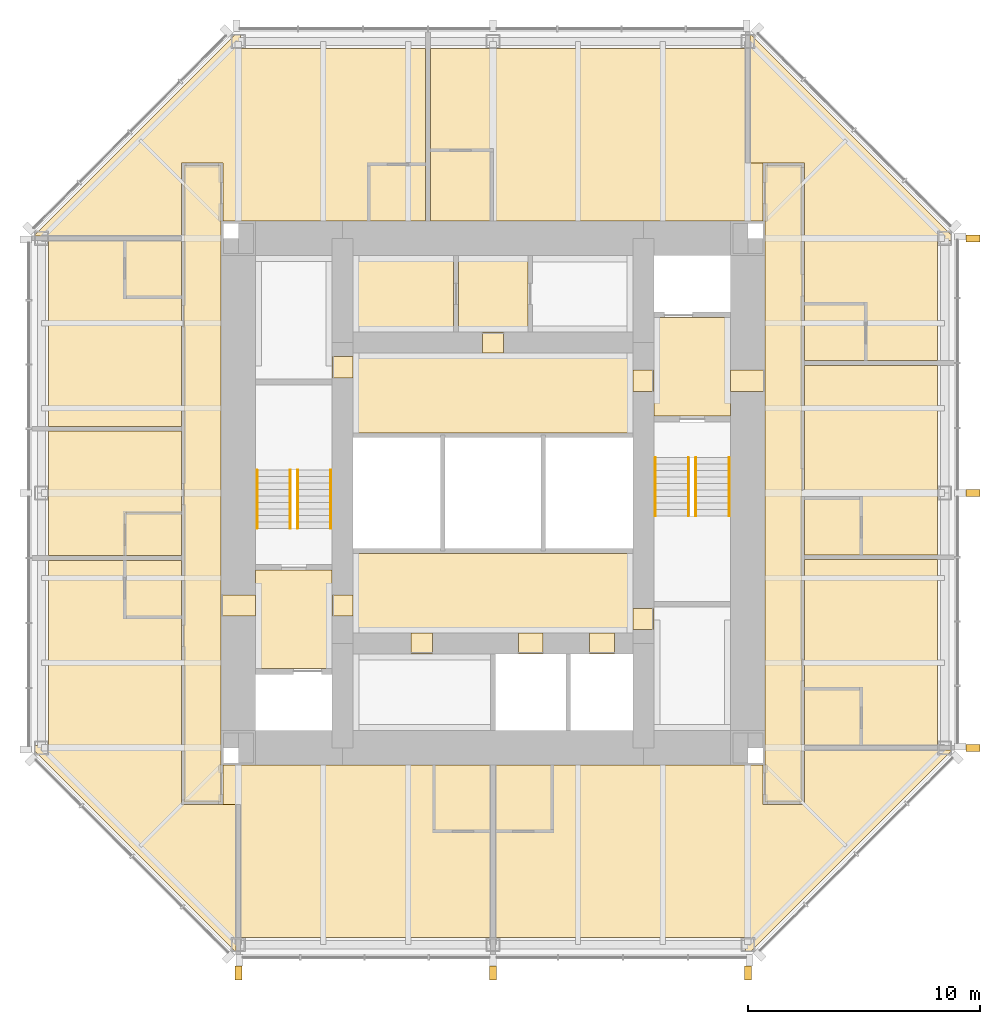
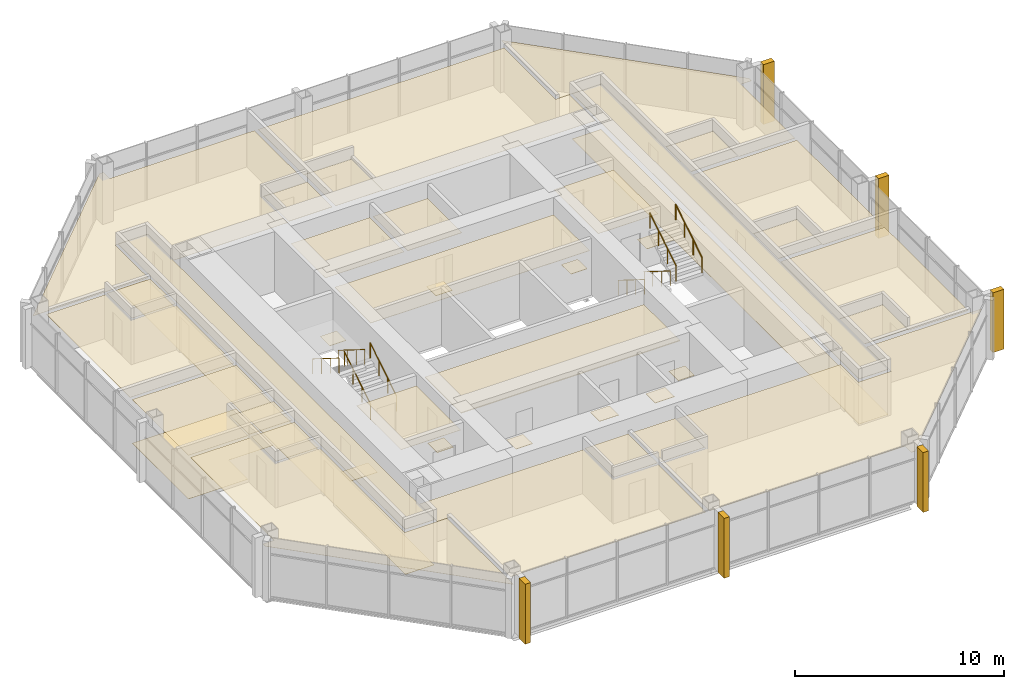
# One storey, part 11 of 11: 47 coverings, 8 railings.
"""IFC4 building model written with IfcOpenShell, lengths in metres."""

import ifcopenshell
import ifcopenshell.guid

model = None  # the IFC model being written
_history = None  # IfcOwnerHistory: only IFC2X3 demands one
_inside = {}  # id of a spatial element -> (the spatial element, [elements in it])
_under = {}  # id of a project, library or spatial element -> (it, [spatial elements below it])
_declared = {}  # id of a project -> (the project, [libraries it declares])
_typed = {}  # id of a type object -> (the type object, [elements of that type])
_made_of = {}  # id of a material, layer set ... -> (it, [elements and type objects made of it])


def new_model(schema):
    """Start an empty IFC model of exactly this schema.

    Asked for "IFC4X3", IfcOpenShell would pick the latest addendum, in which some entities
    have other attributes; the version numbers below select the first issue.
    IFC2X3 requires an IfcOwnerHistory on every rooted entity: one is made here for all.
    """
    global model, _history
    if schema == "IFC4X3":
        model = ifcopenshell.file(schema_version=(4, 3, 0, 0))
    else:
        model = ifcopenshell.file(schema=schema)
    _inside.clear()
    _under.clear()
    _declared.clear()
    _typed.clear()
    _made_of.clear()
    _history = None
    if model.schema == "IFC2X3":
        org = make("IfcOrganization", Name="unknown")
        user = make(
            "IfcPersonAndOrganization",
            ThePerson=make("IfcPerson", FamilyName="unknown"),
            TheOrganization=org,
        )
        app = make(
            "IfcApplication",
            ApplicationDeveloper=org,
            Version="unknown",
            ApplicationFullName="unknown",
            ApplicationIdentifier="unknown",
        )
        _history = make(
            "IfcOwnerHistory",
            OwningUser=user,
            OwningApplication=app,
            ChangeAction="ADDED",
            CreationDate=0,
        )
    return model


def make(cls, **values):
    """One entity of the class cls with the attributes given. An attribute that is None is left unset."""
    return model.create_entity(
        cls, **{name: value for name, value in values.items() if value is not None}
    )


def rooted(cls, **values):
    """An entity with a GlobalId (a new one), such as an element, a storey or a relation."""
    return make(cls, GlobalId=ifcopenshell.guid.new(), OwnerHistory=_history, **values)


def si_unit(unit_type, name, prefix=None):
    """IfcSIUnit, for example si_unit("LENGTHUNIT", "METRE", prefix="MILLI")."""
    return make("IfcSIUnit", UnitType=unit_type, Prefix=prefix, Name=name)


def assignment(units):
    """IfcUnitAssignment: the units of a project."""
    return None if units is None else make("IfcUnitAssignment", Units=units)


def point(xyz):
    """IfcCartesianPoint."""
    return None if xyz is None else make("IfcCartesianPoint", Coordinates=xyz)


def direction(xyz):
    """IfcDirection."""
    return None if xyz is None else make("IfcDirection", DirectionRatios=xyz)


def frame(location, z_axis=None, x_axis=None):
    """IfcAxis2Placement3D, a coordinate frame: its origin and axes. An axis left out is left unset."""
    return make(
        "IfcAxis2Placement3D",
        Location=point(location),
        Axis=direction(z_axis),
        RefDirection=direction(x_axis),
    )


def frame_2d(location, x_axis=None):
    """IfcAxis2Placement2D, a coordinate frame in the plane: its origin and x axis."""
    return make(
        "IfcAxis2Placement2D", Location=point(location), RefDirection=direction(x_axis)
    )


def origin():
    """The frame at (0, 0, 0) with its axes left unset."""
    return frame((0.0, 0.0, 0.0))


def origin_2d():
    """The frame at (0, 0) in the plane with its x axis left unset."""
    return frame_2d((0.0, 0.0))


def place(relative_to, where):
    """IfcLocalPlacement: puts the frame where relative to a parent placement (None: the world)."""
    return make(
        "IfcLocalPlacement", PlacementRelTo=relative_to, RelativePlacement=where
    )


def context(
    kind, dimensions, precision=None, world=None, true_north=None, identifier=None
):
    """IfcGeometricRepresentationContext, for example the 3D "Model" context."""
    return make(
        "IfcGeometricRepresentationContext",
        ContextIdentifier=identifier,
        ContextType=kind,
        CoordinateSpaceDimension=dimensions,
        Precision=precision,
        WorldCoordinateSystem=world,
        TrueNorth=true_north,
    )


def subcontext(parent, identifier, kind, view, scale=None):
    """IfcGeometricRepresentationSubContext, for example "Body" below "Model"."""
    return make(
        "IfcGeometricRepresentationSubContext",
        ContextIdentifier=identifier,
        ContextType=kind,
        ParentContext=parent,
        TargetScale=scale,
        TargetView=view,
    )


def project(units=None, contexts=None):
    """IfcProject with its units and contexts."""
    return rooted(
        "IfcProject",
        Name="project",
        RepresentationContexts=contexts,
        UnitsInContext=assignment(units),
    )


def spatial(cls, under=None, at=None, **own):
    """A site, building, storey or space (cls), placed at a placement, below another one or the project."""
    s = rooted(cls, ObjectPlacement=at, **own)
    if under is not None:
        _under.setdefault(under.id(), (under, []))[1].append(s)
    return s


def polyline(points):
    """IfcPolyline through the points."""
    return make("IfcPolyline", Points=[point(p) for p in points])


def profile(cls, at=None, kind="AREA", **sizes):
    """A parametric profile (cls). Its sizes go by their IFC names, for example OverallWidth=200.0."""
    return make(cls, ProfileType=kind, Position=at, **sizes)


def rectangle(**sizes):
    """IfcRectangleProfileDef."""
    return profile("IfcRectangleProfileDef", **sizes)


def circle(**sizes):
    """IfcCircleProfileDef."""
    return profile("IfcCircleProfileDef", **sizes)


def outline(outer, holes=None, kind="AREA"):
    """IfcArbitraryClosedProfileDef: a profile drawn as a closed curve; with holes, ...WithVoids."""
    if holes is None:
        return make("IfcArbitraryClosedProfileDef", ProfileType=kind, OuterCurve=outer)
    return make(
        "IfcArbitraryProfileDefWithVoids",
        ProfileType=kind,
        OuterCurve=outer,
        InnerCurves=holes,
    )


def extrude(swept, where, along, depth):
    """IfcExtrudedAreaSolid: the profile swept, set in the frame where, extruded along a direction by depth."""
    return make(
        "IfcExtrudedAreaSolid",
        SweptArea=swept,
        Position=where,
        ExtrudedDirection=direction(along),
        Depth=depth,
    )


def shape(context_of_items, identifier, shape_type, items):
    """IfcShapeRepresentation: the items that make up one representation, for example the "Body"."""
    return make(
        "IfcShapeRepresentation",
        ContextOfItems=context_of_items,
        RepresentationIdentifier=identifier,
        RepresentationType=shape_type,
        Items=items,
    )


def material(Name=None, Category=None):
    """IfcMaterial."""
    return make("IfcMaterial", Name=Name, Category=Category)


def layer(
    of_material, thickness, ventilated=None, Name=None, Category=None, Priority=None
):
    """IfcMaterialLayer: one layer of a wall or slab, of a material (None: an air gap)."""
    return make(
        "IfcMaterialLayer",
        Material=of_material,
        LayerThickness=thickness,
        IsVentilated=ventilated,
        Name=Name,
        Category=Category,
        Priority=Priority,
    )


def layer_set(layers, Name=None):
    """IfcMaterialLayerSet."""
    return make("IfcMaterialLayerSet", MaterialLayers=layers, LayerSetName=Name)


def made_of(thing, what):
    """Note that an element or type object is made of a material, layer set ...; save() writes the relation."""
    if what is not None:
        _made_of.setdefault(what.id(), (what, []))[1].append(thing)
    return thing


def type_object(cls, material=None, **own):
    """A type object (cls), such as IfcWallType, which elements share."""
    return made_of(rooted(cls, **own), material)


def element(
    cls,
    number,
    at=None,
    inside=None,
    cuts=None,
    type_object=None,
    material=None,
    context=None,
    identifier="Body",
    shape_type=None,
    held_by="IfcProductDefinitionShape",
    body=None,
    shapes=None,
    **own,
):
    """One element of the class cls, such as IfcWall. Its Tag is "e" and its number.

    at: its placement. inside: the storey or other place that contains it. cuts: it is an
    opening in that element (IfcRelVoidsElement). A single representation is given by context,
    identifier, shape_type and body (its items); several are given by shapes. held_by: the class
    of the entity that holds the representations. save() writes the other relations.
    """
    e = rooted(cls, Tag="e%d" % number, ObjectPlacement=at, **own)
    if body is not None:
        shapes = [shape(context, identifier, shape_type, body)]
    if shapes is not None:
        e.Representation = make(held_by, Representations=shapes)
    if inside is not None:
        _inside.setdefault(inside.id(), (inside, []))[1].append(e)
    if cuts is not None:
        rooted(
            "IfcRelVoidsElement", RelatingBuildingElement=cuts, RelatedOpeningElement=e
        )
    if type_object is not None:
        _typed.setdefault(type_object.id(), (type_object, []))[1].append(e)
    return made_of(e, material)


def aggregate(whole, parts):
    """IfcRelAggregates: a whole, such as a stair, and the parts it consists of."""
    return rooted("IfcRelAggregates", RelatingObject=whole, RelatedObjects=parts)


def save(model, path):
    """Write the relations noted so far, then the file.

    IfcRelAggregates (storeys below a building ...), IfcRelContainedInSpatialStructure (elements
    in a storey), IfcRelDefinesByType, IfcRelAssociatesMaterial and IfcRelDeclares: one each for
    every whole, place, type object, material and project.
    """
    for whole, parts in _under.values():
        aggregate(whole, parts)
    for where, things in _inside.values():
        rooted(
            "IfcRelContainedInSpatialStructure",
            RelatedElements=things,
            RelatingStructure=where,
        )
    for kind, things in _typed.values():
        rooted("IfcRelDefinesByType", RelatedObjects=things, RelatingType=kind)
    for what, things in _made_of.values():
        rooted("IfcRelAssociatesMaterial", RelatedObjects=things, RelatingMaterial=what)
    for by, libraries in _declared.values():
        rooted("IfcRelDeclares", RelatingContext=by, RelatedDefinitions=libraries)
    model.write(path)


model = new_model("IFC4")

# Units and contexts
model_context = context("Model", 3, precision=1e-05, world=origin(), true_north=direction((0.0, 1.0)))
body_context = subcontext(model_context, "Body", "Model", "MODEL_VIEW")
ifc_project = project(units=[si_unit("LENGTHUNIT", "METRE"), si_unit("AREAUNIT", "SQUARE_METRE"), si_unit("VOLUMEUNIT", "CUBIC_METRE"), si_unit("PLANEANGLEUNIT", "RADIAN"), si_unit("MASSUNIT", "GRAM", prefix="KILO")], contexts=[model_context])

# Site, building, storey
site_placement = place(None, origin())
site = spatial("IfcSite", under=ifc_project, at=site_placement, CompositionType="ELEMENT")
building_placement = place(site_placement, origin())
building = spatial("IfcBuilding", under=site, at=building_placement, Name="Trevanion Tower", CompositionType="ELEMENT")
storey_placement = place(building_placement, frame((0.0, 0.0, 239.699951171875)))
storey = spatial("IfcBuildingStorey", under=building, at=storey_placement, Name="L58", CompositionType="ELEMENT", Elevation=239.699951171875)

# Coverings
ifc_material_1 = material(Name="Fibrous plaster coffers on suspended steel grid", Category="steel")
ifc_layer_1 = layer(ifc_material_1, 0.050048828125)
ifc_layer_set_1 = layer_set([ifc_layer_1], Name="CL1 coffered fibrous plaster ceiling 50")
covering_type_1 = type_object("IfcCoveringType", Name="CL1 coffered fibrous plaster ceiling 50", PredefinedType="CEILING", material=ifc_layer_set_1)
covering_1_placement = place(storey_placement, frame((0.0, 0.0, 2.429931640625)))
element("IfcCovering", 1, at=covering_1_placement, inside=storey, type_object=covering_type_1, Name="CL1 L58-LBS", PredefinedType="CEILING", context=body_context, shape_type="SweptSolid", body=[
    extrude(outline(polyline([(6.050048828125, -6.050048828125), (6.050048828125, -2.60009765625), (-6.050048828125, -2.60009765625), (-6.050048828125, -6.050048828125), (6.050048828125, -6.050048828125)])), origin(), (0.0, 0.0, 1.0), 0.050048828125),
])
ifc_material_2 = material(Name="Mineral fibre acoustic tiles in exposed grid", Category="mineral fibre")
ifc_layer_2 = layer(ifc_material_2, 0.02001953125)
ifc_layer_set_2 = layer_set([ifc_layer_2], Name="CL2 acoustic tile ceiling 20")
covering_type_2 = type_object("IfcCoveringType", Name="CL2 acoustic tile ceiling 20", PredefinedType="CEILING", material=ifc_layer_set_2)
covering_2_placement = place(storey_placement, frame((0.0, 0.0, 2.4599609375)))
element("IfcCovering", 2, at=covering_2_placement, inside=storey, type_object=covering_type_2, Name="CL2 L58-LBN", PredefinedType="CEILING", context=body_context, shape_type="SweptSolid", body=[
    extrude(outline(polyline([(6.050048828125, 2.60009765625), (6.050048828125, 6.050048828125), (-6.050048828125, 6.050048828125), (-6.050048828125, 2.60009765625), (6.050048828125, 2.60009765625)])), origin(), (0.0, 0.0, 1.0), 0.02001953125),
])
covering_3_placement = place(storey_placement, frame((0.0, 0.0, 2.4599609375)))
element("IfcCovering", 3, at=covering_3_placement, inside=storey, type_object=covering_type_2, Name="CL2 L58-HKC", PredefinedType="CEILING", context=body_context, shape_type="SweptSolid", body=[
    extrude(outline(polyline([(1.5, 6.949951171875), (1.5, 10.25), (-1.5, 10.25), (-1.5, 6.949951171875), (1.5, 6.949951171875)])), origin(), (0.0, 0.0, 1.0), 0.02001953125),
])
covering_4_placement = place(storey_placement, frame((0.0, 0.0, 2.633056640625)))
element("IfcCovering", 4, at=covering_4_placement, inside=storey, type_object=covering_type_2, Name="CL2 L58-CO1", PredefinedType="CEILING", context=body_context, shape_type="SweptSolid", body=[
    extrude(outline(polyline([(-11.75, 14.14990234375), (-11.75, -13.35009765625), (-13.35009765625, -13.35009765625), (-13.35009765625, 14.14990234375), (-11.75, 14.14990234375)])), origin(), (0.0, 0.0, 1.0), 0.02001953125),
])
covering_5_placement = place(storey_placement, frame((0.0, 0.0, 2.633056640625)))
element("IfcCovering", 5, at=covering_5_placement, inside=storey, type_object=covering_type_2, Name="CL2 L58-CO2", PredefinedType="CEILING", context=body_context, shape_type="SweptSolid", body=[
    extrude(outline(polyline([(11.75, -13.35009765625), (11.75, 14.14990234375), (13.35009765625, 14.14990234375), (13.35009765625, -13.35009765625), (11.75, -13.35009765625)])), origin(), (0.0, 0.0, 1.0), 0.02001953125),
])
ifc_material_3 = material(Name="Gypsum plasterboard on suspended metal furring", Category="gypsum")
ifc_layer_3 = layer(ifc_material_3, 0.012939453125)
ifc_layer_set_3 = layer_set([ifc_layer_3], Name="CL3 plasterboard ceiling 13")
covering_type_3 = type_object("IfcCoveringType", Name="CL3 plasterboard ceiling 13", PredefinedType="CEILING", material=ifc_layer_set_3)
covering_6_placement = place(storey_placement, frame((0.0, 0.0, 2.699951171875)))
element("IfcCovering", 6, at=covering_6_placement, inside=storey, type_object=covering_type_3, Name="CL3 L58-FV1", PredefinedType="CEILING", context=body_context, shape_type="SweptSolid", body=[
    extrude(outline(polyline([(10.25, 3.324951171875), (10.25, 7.574951171875), (6.949951171875, 7.574951171875), (6.949951171875, 3.324951171875), (10.25, 3.324951171875)])), origin(), (0.0, 0.0, 1.0), 0.01318359375),
])
covering_7_placement = place(storey_placement, frame((0.0, 0.0, 2.699951171875)))
element("IfcCovering", 7, at=covering_7_placement, inside=storey, type_object=covering_type_3, Name="CL3 L58-FV2", PredefinedType="CEILING", context=body_context, shape_type="SweptSolid", body=[
    extrude(outline(polyline([(-10.25, -3.324951171875), (-10.25, -7.574951171875), (-6.949951171875, -7.574951171875), (-6.949951171875, -3.324951171875), (-10.25, -3.324951171875)])), origin(), (0.0, 0.0, 1.0), 0.01318359375),
])
covering_8_placement = place(storey_placement, frame((0.0, 0.0, 2.551025390625)))
element("IfcCovering", 8, at=covering_8_placement, inside=storey, type_object=covering_type_3, Name="CL3 L58-GJ", PredefinedType="CEILING", context=body_context, shape_type="SweptSolid", body=[
    extrude(outline(polyline([(13.449951171875, -2.875), (19.199951171875, -2.875), (19.199951171875, -10.89990234375), (15.89990234375, -10.89990234375), (15.89990234375, -8.449951171875), (13.449951171875, -8.449951171875), (13.449951171875, -2.875)])), origin(), (0.0, 0.0, 1.0), 0.012939453125),
])
covering_9_placement = place(storey_placement, frame((0.0, 0.0, 2.551025390625)))
element("IfcCovering", 9, at=covering_9_placement, inside=storey, type_object=covering_type_3, Name="CL3 L58-GJ2", PredefinedType="CEILING", context=body_context, shape_type="SweptSolid", body=[
    extrude(outline(polyline([(13.449951171875, 5.513916015625), (19.199951171875, 5.513916015625), (19.199951171875, -2.675048828125), (15.89990234375, -2.675048828125), (15.89990234375, -0.22509765625), (13.449951171875, -0.22509765625), (13.449951171875, 5.513916015625)])), origin(), (0.0, 0.0, 1.0), 0.012939453125),
])
covering_10_placement = place(storey_placement, frame((0.0, 0.0, 2.551025390625)))
element("IfcCovering", 10, at=covering_10_placement, inside=storey, type_object=covering_type_3, Name="CL3 L58-GA", PredefinedType="CEILING", context=body_context, shape_type="SweptSolid", body=[
    extrude(outline(polyline([(11.10009765625, 14.25), (11.10009765625, 19.800048828125), (11.124267578125, 19.800048828125), (19.800048828125, 11.124267578125), (19.800048828125, 10.89990234375), (19.199951171875, 10.89990234375), (19.199951171875, 5.714111328125), (16.10009765625, 5.714111328125), (16.10009765625, 8.1640625), (13.449951171875, 8.1640625), (13.449951171875, 14.25), (11.10009765625, 14.25)])), origin(), (0.0, 0.0, 1.0), 0.012939453125),
])
covering_11_placement = place(storey_placement, frame((0.0, 0.0, 2.551025390625)))
element("IfcCovering", 11, at=covering_11_placement, inside=storey, type_object=covering_type_3, Name="CL3 L58-GY", PredefinedType="CEILING", context=body_context, shape_type="SweptSolid", body=[
    extrude(outline(polyline([(-2.70703125, 19.199951171875), (10.89990234375, 19.199951171875), (10.89990234375, 14.25), (11.64990234375, 14.25), (11.64990234375, 11.75), (-0.056884765625, 11.75), (-0.056884765625, 14.800048828125), (-2.70703125, 14.800048828125), (-2.70703125, 19.199951171875)])), origin(), (0.0, 0.0, 1.0), 0.012939453125),
])
covering_12_placement = place(storey_placement, frame((0.0, 0.0, 2.551025390625)))
element("IfcCovering", 12, at=covering_12_placement, inside=storey, type_object=covering_type_3, Name="CL3 L58-GJ3", PredefinedType="CEILING", context=body_context, shape_type="SweptSolid", body=[
    extrude(outline(polyline([(-13.449951171875, 11.10009765625), (-19.800048828125, 11.10009765625), (-19.800048828125, 11.124267578125), (-11.124267578125, 19.800048828125), (-10.89990234375, 19.800048828125), (-10.89990234375, 19.199951171875), (-2.906982421875, 19.199951171875), (-2.906982421875, 14.199951171875), (-5.35693359375, 14.199951171875), (-5.35693359375, 11.75), (-11.64990234375, 11.75), (-11.64990234375, 14.25), (-13.449951171875, 14.25), (-13.449951171875, 11.10009765625)])), origin(), (0.0, 0.0, 1.0), 0.012939453125),
])
covering_13_placement = place(storey_placement, frame((0.0, 0.0, 2.551025390625)))
element("IfcCovering", 13, at=covering_13_placement, inside=storey, type_object=covering_type_3, Name="CL3 L58-GJ4", PredefinedType="CEILING", context=body_context, shape_type="SweptSolid", body=[
    extrude(outline(polyline([(-13.449951171875, 2.875), (-19.199951171875, 2.875), (-19.199951171875, 10.89990234375), (-15.89990234375, 10.89990234375), (-15.89990234375, 8.449951171875), (-13.449951171875, 8.449951171875), (-13.449951171875, 2.875)])), origin(), (0.0, 0.0, 1.0), 0.012939453125),
])
covering_14_placement = place(storey_placement, frame((0.0, 0.0, 2.551025390625)))
element("IfcCovering", 14, at=covering_14_placement, inside=storey, type_object=covering_type_3, Name="CL3 L58-GR", PredefinedType="CEILING", context=body_context, shape_type="SweptSolid", body=[
    extrude(outline(polyline([(-13.449951171875, -0.85693359375), (-15.89990234375, -0.85693359375), (-15.89990234375, -2.70703125), (-19.199951171875, -2.70703125), (-19.199951171875, 2.675048828125), (-13.449951171875, 2.675048828125), (-13.449951171875, -0.85693359375)])), origin(), (0.0, 0.0, 1.0), 0.012939453125),
])
covering_15_placement = place(storey_placement, frame((0.0, 0.0, 2.551025390625)))
element("IfcCovering", 15, at=covering_15_placement, inside=storey, type_object=covering_type_3, Name="CL3 L58-GJ5", PredefinedType="CEILING", context=body_context, shape_type="SweptSolid", body=[
    extrude(outline(polyline([(-11.10009765625, -13.449951171875), (-11.10009765625, -19.800048828125), (-11.124267578125, -19.800048828125), (-19.800048828125, -11.124267578125), (-19.800048828125, -10.89990234375), (-19.199951171875, -10.89990234375), (-19.199951171875, -2.906982421875), (-15.89990234375, -2.906982421875), (-15.89990234375, -5.35693359375), (-13.449951171875, -5.35693359375), (-13.449951171875, -13.449951171875), (-11.10009765625, -13.449951171875)])), origin(), (0.0, 0.0, 1.0), 0.012939453125),
])
covering_16_placement = place(storey_placement, frame((0.0, 0.0, 2.551025390625)))
element("IfcCovering", 16, at=covering_16_placement, inside=storey, type_object=covering_type_3, Name="CL3 L58-GB", PredefinedType="CEILING", context=body_context, shape_type="SweptSolid", body=[
    extrude(outline(polyline([(-0.10009765625, -19.199951171875), (-10.89990234375, -19.199951171875), (-10.89990234375, -13.449951171875), (-11.64990234375, -13.449951171875), (-11.64990234375, -11.75), (-2.550048828125, -11.75), (-2.550048828125, -14.60009765625), (-0.10009765625, -14.60009765625), (-0.10009765625, -19.199951171875)])), origin(), (0.0, 0.0, 1.0), 0.012939453125),
])
covering_17_placement = place(storey_placement, frame((0.0, 0.0, 2.551025390625)))
element("IfcCovering", 17, at=covering_17_placement, inside=storey, type_object=covering_type_3, Name="CL3 L58-GB2", PredefinedType="CEILING", context=body_context, shape_type="SweptSolid", body=[
    extrude(outline(polyline([(13.449951171875, -11.10009765625), (19.800048828125, -11.10009765625), (19.800048828125, -11.124267578125), (11.124267578125, -19.800048828125), (10.89990234375, -19.800048828125), (10.89990234375, -19.199951171875), (0.10009765625, -19.199951171875), (0.10009765625, -14.60009765625), (2.550048828125, -14.60009765625), (2.550048828125, -11.75), (11.64990234375, -11.75), (11.64990234375, -13.449951171875), (13.449951171875, -13.449951171875), (13.449951171875, -11.10009765625)])), origin(), (0.0, 0.0, 1.0), 0.012939453125),
])
ifc_material_4 = material(Name="Moisture-resistant gypsum board on suspended metal furring", Category="gypsum")
ifc_layer_4 = layer(ifc_material_4, 0.01611328125)
ifc_layer_set_4 = layer_set([ifc_layer_4], Name="CL4 moisture-resistant board ceiling 16")
covering_type_4 = type_object("IfcCoveringType", Name="CL4 moisture-resistant board ceiling 16", PredefinedType="CEILING", material=ifc_layer_set_4)
covering_18_placement = place(storey_placement, frame((0.0, 0.0, 2.464111328125)))
element("IfcCovering", 18, at=covering_18_placement, inside=storey, type_object=covering_type_4, Name="CL4 L58-HK", PredefinedType="CEILING", context=body_context, shape_type="SweptSolid", body=[
    extrude(outline(polyline([(-1.699951171875, 6.949951171875), (-1.699951171875, 10.25), (-6.050048828125, 10.25), (-6.050048828125, 6.949951171875), (-1.699951171875, 6.949951171875)])), origin(), (0.0, 0.0, 1.0), 0.015869140625),
])
covering_19_placement = place(storey_placement, frame((0.0, 0.0, 2.60009765625)))
element("IfcCovering", 19, at=covering_19_placement, inside=storey, type_object=covering_type_4, Name="CL4 L58-EN", PredefinedType="CEILING", context=body_context, shape_type="SweptSolid", body=[
    extrude(outline(polyline([(15.85009765625, -10.89990234375), (15.85009765625, -8.5), (13.449951171875, -8.5), (13.449951171875, -10.89990234375), (15.85009765625, -10.89990234375)])), origin(), (0.0, 0.0, 1.0), 0.015869140625),
])
covering_20_placement = place(storey_placement, frame((0.0, 0.0, 2.60009765625)))
element("IfcCovering", 20, at=covering_20_placement, inside=storey, type_object=covering_type_4, Name="CL4 L58-EN2", PredefinedType="CEILING", context=body_context, shape_type="SweptSolid", body=[
    extrude(outline(polyline([(15.85009765625, -2.675048828125), (15.85009765625, -0.27490234375), (13.449951171875, -0.27490234375), (13.449951171875, -2.675048828125), (15.85009765625, -2.675048828125)])), origin(), (0.0, 0.0, 1.0), 0.015869140625),
])
covering_21_placement = place(storey_placement, frame((0.0, 0.0, 2.60009765625)))
element("IfcCovering", 21, at=covering_21_placement, inside=storey, type_object=covering_type_4, Name="CL4 L58-EN3", PredefinedType="CEILING", context=body_context, shape_type="SweptSolid", body=[
    extrude(outline(polyline([(16.050048828125, 5.714111328125), (16.050048828125, 8.114013671875), (13.449951171875, 8.114013671875), (13.449951171875, 5.714111328125), (16.050048828125, 5.714111328125)])), origin(), (0.0, 0.0, 1.0), 0.015869140625),
])
covering_22_placement = place(storey_placement, frame((0.0, 0.0, 2.60009765625)))
element("IfcCovering", 22, at=covering_22_placement, inside=storey, type_object=covering_type_4, Name="CL4 L58-EN4", PredefinedType="CEILING", context=body_context, shape_type="SweptSolid", body=[
    extrude(outline(polyline([(-0.10693359375, 14.75), (-2.70703125, 14.75), (-2.70703125, 11.75), (-0.10693359375, 11.75), (-0.10693359375, 14.75)])), origin(), (0.0, 0.0, 1.0), 0.015869140625),
])
covering_23_placement = place(storey_placement, frame((0.0, 0.0, 2.60009765625)))
element("IfcCovering", 23, at=covering_23_placement, inside=storey, type_object=covering_type_4, Name="CL4 L58-EN5", PredefinedType="CEILING", context=body_context, shape_type="SweptSolid", body=[
    extrude(outline(polyline([(-2.906982421875, 14.14990234375), (-5.306884765625, 14.14990234375), (-5.306884765625, 11.75), (-2.906982421875, 11.75), (-2.906982421875, 14.14990234375)])), origin(), (0.0, 0.0, 1.0), 0.015869140625),
])
covering_24_placement = place(storey_placement, frame((0.0, 0.0, 2.60009765625)))
element("IfcCovering", 24, at=covering_24_placement, inside=storey, type_object=covering_type_4, Name="CL4 L58-EN6", PredefinedType="CEILING", context=body_context, shape_type="SweptSolid", body=[
    extrude(outline(polyline([(-15.85009765625, 10.89990234375), (-15.85009765625, 8.5), (-13.449951171875, 8.5), (-13.449951171875, 10.89990234375), (-15.85009765625, 10.89990234375)])), origin(), (0.0, 0.0, 1.0), 0.015869140625),
])
covering_25_placement = place(storey_placement, frame((0.0, 0.0, 2.60009765625)))
element("IfcCovering", 25, at=covering_25_placement, inside=storey, type_object=covering_type_4, Name="CL4 L58-EN7", PredefinedType="CEILING", context=body_context, shape_type="SweptSolid", body=[
    extrude(outline(polyline([(-15.85009765625, -0.906982421875), (-15.85009765625, -2.70703125), (-13.449951171875, -2.70703125), (-13.449951171875, -0.906982421875), (-15.85009765625, -0.906982421875)])), origin(), (0.0, 0.0, 1.0), 0.015869140625),
])
covering_26_placement = place(storey_placement, frame((0.0, 0.0, 2.60009765625)))
element("IfcCovering", 26, at=covering_26_placement, inside=storey, type_object=covering_type_4, Name="CL4 L58-EN8", PredefinedType="CEILING", context=body_context, shape_type="SweptSolid", body=[
    extrude(outline(polyline([(-15.85009765625, -2.906982421875), (-15.85009765625, -5.306884765625), (-13.449951171875, -5.306884765625), (-13.449951171875, -2.906982421875), (-15.85009765625, -2.906982421875)])), origin(), (0.0, 0.0, 1.0), 0.015869140625),
])
covering_27_placement = place(storey_placement, frame((0.0, 0.0, 2.60009765625)))
element("IfcCovering", 27, at=covering_27_placement, inside=storey, type_object=covering_type_4, Name="CL4 L58-EN9", PredefinedType="CEILING", context=body_context, shape_type="SweptSolid", body=[
    extrude(outline(polyline([(-2.5, -14.550048828125), (-0.10009765625, -14.550048828125), (-0.10009765625, -11.75), (-2.5, -11.75), (-2.5, -14.550048828125)])), origin(), (0.0, 0.0, 1.0), 0.015869140625),
])
covering_28_placement = place(storey_placement, frame((0.0, 0.0, 2.60009765625)))
element("IfcCovering", 28, at=covering_28_placement, inside=storey, type_object=covering_type_4, Name="CL4 L58-EN10", PredefinedType="CEILING", context=body_context, shape_type="SweptSolid", body=[
    extrude(outline(polyline([(0.10009765625, -14.550048828125), (2.5, -14.550048828125), (2.5, -11.75), (0.10009765625, -11.75), (0.10009765625, -14.550048828125)])), origin(), (0.0, 0.0, 1.0), 0.015869140625),
])
ifc_material_5 = material(Name="Cast bronze fin on aluminium carrier", Category="aluminium")
covering_type_5 = type_object("IfcCoveringType", Name="F1 bronze fin", PredefinedType="CLADDING", material=ifc_material_5)
for number, where, z_axis, x_axis, name in (
    (29, (20.72509765625, -11.0, -0.18994140625), (0.0, 0.0, 1.0), (0.0, 1.0, 0.0), "F1 L58 east -11.0"),
    (30, (20.72509765625, 0.0, -0.18994140625), (0.0, 0.0, 1.0), (0.0, 1.0, 0.0), "F1 L58 east +0.0"),
    (31, (20.72509765625, 11.0, -0.18994140625), (0.0, 0.0, 1.0), (0.0, 1.0, 0.0), "F1 L58 east +11.0"),
    (32, (-11.0, -20.72509765625, -0.18994140625), (0.0, 0.0, 1.0), (1.0, 0.0, 0.0), "F1 L58 south -11.0"),
    (33, (0.0, -20.72509765625, -0.18994140625), (0.0, 0.0, 1.0), (1.0, 0.0, 0.0), "F1 L58 south +0.0"),
    (34, (11.0, -20.72509765625, -0.18994140625), (0.0, 0.0, 1.0), (1.0, 0.0, 0.0), "F1 L58 south +11.0"),
):
    element("IfcCovering", number, at=place(storey_placement, frame(where, z_axis=z_axis, x_axis=x_axis)), inside=storey, type_object=covering_type_5, Name=name, PredefinedType="CLADDING", context=body_context, shape_type="SweptSolid", body=[
        extrude(rectangle(XDim=0.300048828125, YDim=0.60009765625, at=origin_2d()), origin(), (0.0, 0.0, 1.0), 3.5),
    ])
ifc_material_6 = material(Name="Terrazzo, brass divider strips", Category="stone")
ifc_layer_5 = layer(ifc_material_6, 0.02001953125)
ifc_layer_set_5 = layer_set([ifc_layer_5], Name="FF1 terrazzo flooring")
covering_type_6 = type_object("IfcCoveringType", Name="FF1 terrazzo flooring", PredefinedType="FLOORING", material=ifc_layer_set_5)
covering_29_placement = place(storey_placement, origin())
element("IfcCovering", 35, at=covering_29_placement, inside=storey, type_object=covering_type_6, Name="FF1 threshold 58-001", PredefinedType="FLOORING", context=body_context, shape_type="SweptSolid", body=[
    extrude(outline(polyline([(11.75, 4.392578125), (11.75, 5.3076171875), (10.25, 5.3076171875), (10.25, 4.392578125), (11.75, 4.392578125)])), origin(), (0.0, 0.0, 1.0), 0.02001953125),
])
covering_30_placement = place(storey_placement, origin())
element("IfcCovering", 36, at=covering_30_placement, inside=storey, type_object=covering_type_6, Name="FF1 threshold 58-002", PredefinedType="FLOORING", context=body_context, shape_type="SweptSolid", body=[
    extrude(outline(polyline([(-11.75, -4.392578125), (-11.75, -5.3076171875), (-10.25, -5.3076171875), (-10.25, -4.392578125), (-11.75, -4.392578125)])), origin(), (0.0, 0.0, 1.0), 0.02001953125),
])
covering_31_placement = place(storey_placement, origin())
element("IfcCovering", 37, at=covering_31_placement, inside=storey, type_object=covering_type_6, Name="FF1 threshold 58-003", PredefinedType="FLOORING", context=body_context, shape_type="SweptSolid", body=[
    extrude(outline(polyline([(6.949951171875, 4.392578125), (6.949951171875, 5.3076171875), (6.050048828125, 5.3076171875), (6.050048828125, 4.392578125), (6.949951171875, 4.392578125)])), origin(), (0.0, 0.0, 1.0), 0.02001953125),
])
covering_32_placement = place(storey_placement, origin())
element("IfcCovering", 38, at=covering_32_placement, inside=storey, type_object=covering_type_6, Name="FF1 threshold 58-004", PredefinedType="FLOORING", context=body_context, shape_type="SweptSolid", body=[
    extrude(outline(polyline([(-6.949951171875, -4.392578125), (-6.949951171875, -5.3076171875), (-6.050048828125, -5.3076171875), (-6.050048828125, -4.392578125), (-6.949951171875, -4.392578125)])), origin(), (0.0, 0.0, 1.0), 0.02001953125),
])
covering_33_placement = place(storey_placement, origin())
element("IfcCovering", 39, at=covering_33_placement, inside=storey, type_object=covering_type_6, Name="FF1 threshold 58-009", PredefinedType="FLOORING", context=body_context, shape_type="SweptSolid", body=[
    extrude(outline(polyline([(6.949951171875, -5.889892578125), (6.949951171875, -4.97509765625), (6.050048828125, -4.97509765625), (6.050048828125, -5.889892578125), (6.949951171875, -5.889892578125)])), origin(), (0.0, 0.0, 1.0), 0.02001953125),
])
covering_34_placement = place(storey_placement, origin())
element("IfcCovering", 40, at=covering_34_placement, inside=storey, type_object=covering_type_6, Name="FF1 threshold 58-010", PredefinedType="FLOORING", context=body_context, shape_type="SweptSolid", body=[
    extrude(outline(polyline([(-6.949951171875, 5.889892578125), (-6.949951171875, 4.97509765625), (-6.050048828125, 4.97509765625), (-6.050048828125, 5.889892578125), (-6.949951171875, 5.889892578125)])), origin(), (0.0, 0.0, 1.0), 0.02001953125),
])
covering_35_placement = place(storey_placement, origin())
element("IfcCovering", 41, at=covering_35_placement, inside=storey, type_object=covering_type_6, Name="FF1 threshold 58-011", PredefinedType="FLOORING", context=body_context, shape_type="SweptSolid", body=[
    extrude(outline(polyline([(1.091552734375, -6.949951171875), (2.158447265625, -6.949951171875), (2.158447265625, -6.050048828125), (1.091552734375, -6.050048828125), (1.091552734375, -6.949951171875)])), origin(), (0.0, 0.0, 1.0), 0.02001953125),
])
covering_36_placement = place(storey_placement, origin())
element("IfcCovering", 42, at=covering_36_placement, inside=storey, type_object=covering_type_6, Name="FF1 threshold 58-012", PredefinedType="FLOORING", context=body_context, shape_type="SweptSolid", body=[
    extrude(outline(polyline([(4.16650390625, -6.949951171875), (5.2333984375, -6.949951171875), (5.2333984375, -6.050048828125), (4.16650390625, -6.050048828125), (4.16650390625, -6.949951171875)])), origin(), (0.0, 0.0, 1.0), 0.02001953125),
])
covering_37_placement = place(storey_placement, origin())
element("IfcCovering", 43, at=covering_37_placement, inside=storey, type_object=covering_type_6, Name="FF1 threshold 58-013", PredefinedType="FLOORING", context=body_context, shape_type="SweptSolid", body=[
    extrude(outline(polyline([(-3.532470703125, -6.949951171875), (-2.617431640625, -6.949951171875), (-2.617431640625, -6.050048828125), (-3.532470703125, -6.050048828125), (-3.532470703125, -6.949951171875)])), origin(), (0.0, 0.0, 1.0), 0.02001953125),
])
covering_38_placement = place(storey_placement, origin())
element("IfcCovering", 44, at=covering_38_placement, inside=storey, type_object=covering_type_6, Name="FF1 threshold 58-014", PredefinedType="FLOORING", context=body_context, shape_type="SweptSolid", body=[
    extrude(outline(polyline([(0.45751953125, 6.949951171875), (-0.45751953125, 6.949951171875), (-0.45751953125, 6.050048828125), (0.45751953125, 6.050048828125), (0.45751953125, 6.949951171875)])), origin(), (0.0, 0.0, 1.0), 0.02001953125),
])
ifc_material_7 = material(Name="Wool carpet on underlay", Category="textile")
ifc_layer_6 = layer(ifc_material_7, 0.011962890625)
ifc_layer_set_6 = layer_set([ifc_layer_6], Name="FF2 carpet flooring")
covering_type_7 = type_object("IfcCoveringType", Name="FF2 carpet flooring", PredefinedType="FLOORING", material=ifc_layer_set_6)
covering_39_placement = place(storey_placement, origin())
element("IfcCovering", 45, at=covering_39_placement, inside=storey, type_object=covering_type_7, Name="FF2 L58-CO1", PredefinedType="FLOORING", context=body_context, shape_type="SweptSolid", body=[
    extrude(outline(polyline([(-11.75, 14.14990234375), (-11.75, -13.35009765625), (-13.35009765625, -13.35009765625), (-13.35009765625, 14.14990234375), (-11.75, 14.14990234375)])), origin(), (0.0, 0.0, 1.0), 0.011962890625),
])
covering_40_placement = place(storey_placement, origin())
element("IfcCovering", 46, at=covering_40_placement, inside=storey, type_object=covering_type_7, Name="FF2 L58-CO2", PredefinedType="FLOORING", context=body_context, shape_type="SweptSolid", body=[
    extrude(outline(polyline([(11.75, -13.35009765625), (11.75, 14.14990234375), (13.35009765625, 14.14990234375), (13.35009765625, -13.35009765625), (11.75, -13.35009765625)])), origin(), (0.0, 0.0, 1.0), 0.011962890625),
])
covering_41_placement = place(storey_placement, origin())
element("IfcCovering", 47, at=covering_41_placement, inside=storey, type_object=covering_type_7, Name="FF2 L58-GR", PredefinedType="FLOORING", context=body_context, shape_type="SweptSolid", body=[
    extrude(outline(polyline([(-13.449951171875, -0.85693359375), (-15.89990234375, -0.85693359375), (-15.89990234375, -2.70703125), (-19.199951171875, -2.70703125), (-19.199951171875, 2.675048828125), (-13.449951171875, 2.675048828125), (-13.449951171875, -0.85693359375)])), origin(), (0.0, 0.0, 1.0), 0.011962890625),
])

# Railings
ifc_material_8 = material(Name="Stainless steel tube 40 mm", Category="steel")
railing_type = type_object("IfcRailingType", Name="HR1 handrail", PredefinedType="HANDRAIL", material=ifc_material_8)
for number, where, name in (
    (48, (7.010009765625, 1.52490234375, 0.175048828125), "HR1 ST1 L58 flight 1"),
    (49, (8.43994140625, 1.52490234375, 0.175048828125), "HR1 ST1 L58 flight 1"),
):
    element("IfcRailing", number, at=place(storey_placement, frame(where)), inside=storey, type_object=railing_type, Name=name, PredefinedType="HANDRAIL", context=body_context, shape_type="SweptSolid", body=[
        extrude(circle(Radius=0.02001953125, at=origin_2d()), frame((0.0, 0.0, 0.8798828125), z_axis=(0.0, -0.848007534815, 0.529984170421), x_axis=(1.0, 0.0, 0.0)), (0.0, 0.0, 1.0), 2.9716796875),
        extrude(circle(Radius=0.01513671875, at=origin_2d()), origin(), (0.0, 0.0, 1.0), 0.85986328125),
        extrude(circle(Radius=0.01513671875, at=origin_2d()), frame((0.0, -0.840087890625, 0.52490234375)), (0.0, 0.0, 1.0), 0.85986328125),
        extrude(circle(Radius=0.01513671875, at=origin_2d()), frame((0.0, -1.679931640625, 1.050048828125)), (0.0, 0.0, 1.0), 0.85986328125),
        extrude(circle(Radius=0.01513671875, at=origin_2d()), frame((0.0, -2.52001953125, 1.574951171875)), (0.0, 0.0, 1.0), 0.85986328125),
    ])
for number, where, name in (
    (50, (8.760009765625, -0.9951171875, 1.925048828125), "HR1 ST1 L58 flight 2"),
    (51, (10.18994140625, -0.9951171875, 1.925048828125), "HR1 ST1 L58 flight 2"),
    (52, (-7.010009765625, -1.52490234375, 0.175048828125), "HR1 ST2 L58 flight 1"),
    (53, (-8.43994140625, -1.52490234375, 0.175048828125), "HR1 ST2 L58 flight 1"),
):
    element("IfcRailing", number, at=place(storey_placement, frame(where)), inside=storey, type_object=railing_type, Name=name, PredefinedType="HANDRAIL", context=body_context, shape_type="SweptSolid", body=[
        extrude(circle(Radius=0.02001953125, at=origin_2d()), frame((0.0, 0.0, 0.8798828125), z_axis=(0.0, 0.848007534815, 0.529984170421), x_axis=(-1.0, 0.0, 0.0)), (0.0, 0.0, 1.0), 2.9716796875),
        extrude(circle(Radius=0.01513671875, at=origin_2d()), origin(), (0.0, 0.0, 1.0), 0.85986328125),
        extrude(circle(Radius=0.01513671875, at=origin_2d()), frame((0.0, 0.840087890625, 0.52490234375)), (0.0, 0.0, 1.0), 0.85986328125),
        extrude(circle(Radius=0.01513671875, at=origin_2d()), frame((0.0, 1.679931640625, 1.050048828125)), (0.0, 0.0, 1.0), 0.85986328125),
        extrude(circle(Radius=0.01513671875, at=origin_2d()), frame((0.0, 2.52001953125, 1.574951171875)), (0.0, 0.0, 1.0), 0.85986328125),
    ])
for number, where, name in (
    (54, (-8.760009765625, 0.9951171875, 1.925048828125), "HR1 ST2 L58 flight 2"),
    (55, (-10.18994140625, 0.9951171875, 1.925048828125), "HR1 ST2 L58 flight 2"),
):
    element("IfcRailing", number, at=place(storey_placement, frame(where)), inside=storey, type_object=railing_type, Name=name, PredefinedType="HANDRAIL", context=body_context, shape_type="SweptSolid", body=[
        extrude(circle(Radius=0.02001953125, at=origin_2d()), frame((0.0, 0.0, 0.8798828125), z_axis=(0.0, -0.848007534815, 0.529984170421), x_axis=(1.0, 0.0, 0.0)), (0.0, 0.0, 1.0), 2.9716796875),
        extrude(circle(Radius=0.01513671875, at=origin_2d()), origin(), (0.0, 0.0, 1.0), 0.85986328125),
        extrude(circle(Radius=0.01513671875, at=origin_2d()), frame((0.0, -0.840087890625, 0.52490234375)), (0.0, 0.0, 1.0), 0.85986328125),
        extrude(circle(Radius=0.01513671875, at=origin_2d()), frame((0.0, -1.679931640625, 1.050048828125)), (0.0, 0.0, 1.0), 0.85986328125),
        extrude(circle(Radius=0.01513671875, at=origin_2d()), frame((0.0, -2.52001953125, 1.574951171875)), (0.0, 0.0, 1.0), 0.85986328125),
    ])

save(model, "model.ifc")
